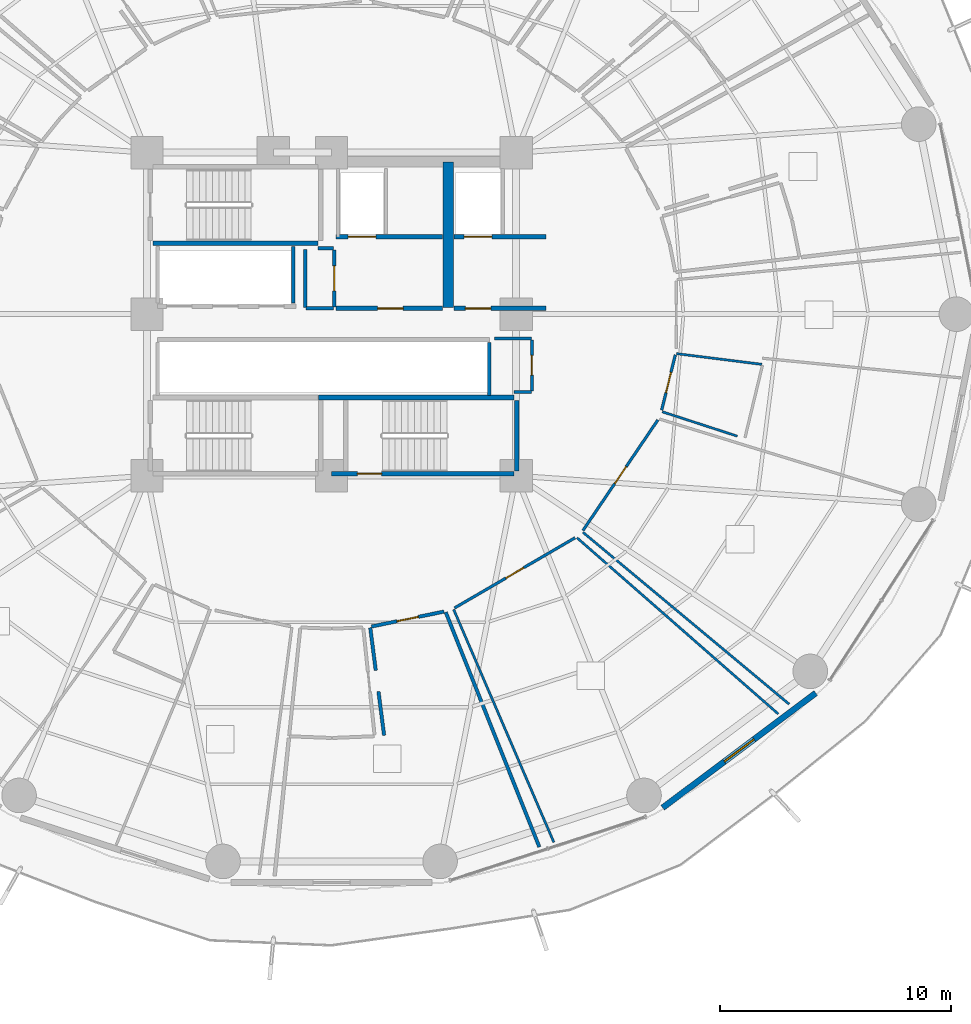
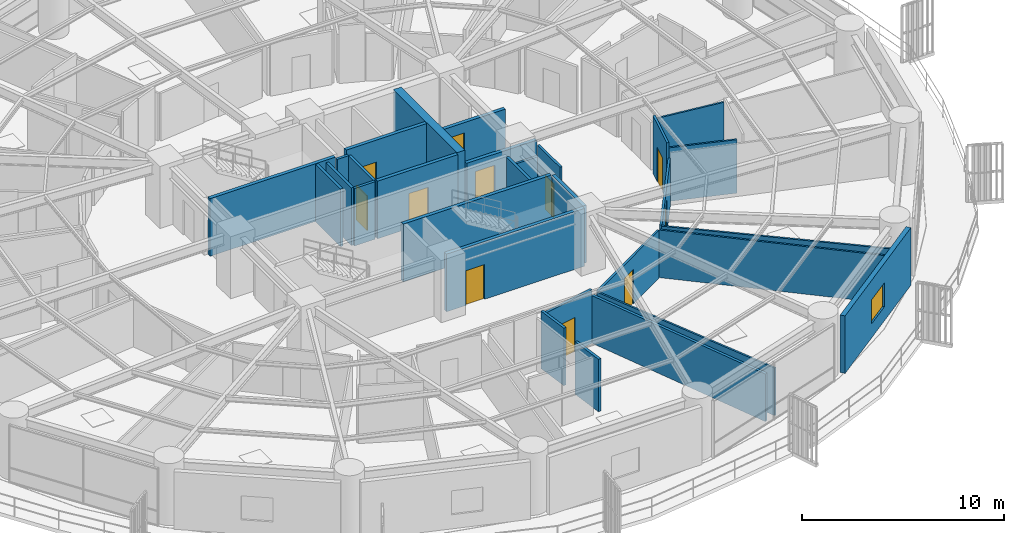
# One storey, part 23 of 32: 31 walls, 11 doors, 1 window, 12 openings.
"""IFC4 building model written with IfcOpenShell, lengths in metres."""

from ifc_helpers import new_model, si_unit, direction, frame, frame_2d, origin, place, context, subcontext, project, spatial, rectangle, extrude, material, layer, layer_set, type_object, element, fill, save


model = new_model("IFC4")

# Units and contexts
model_context = context("Model", 3, precision=1e-05, world=origin(), true_north=direction((0.0, 1.0)))
body_context = subcontext(model_context, "Body", "Model", "MODEL_VIEW")
ifc_project = project(units=[si_unit("LENGTHUNIT", "METRE"), si_unit("AREAUNIT", "SQUARE_METRE"), si_unit("VOLUMEUNIT", "CUBIC_METRE"), si_unit("PLANEANGLEUNIT", "RADIAN"), si_unit("MASSUNIT", "GRAM", prefix="KILO")], contexts=[model_context])

# Site, building, storey
site_placement = place(None, origin())
site = spatial("IfcSite", under=ifc_project, at=site_placement, CompositionType="ELEMENT")
building_placement = place(site_placement, origin())
building = spatial("IfcBuilding", under=site, at=building_placement, Name="Kelanora Arch Commons", CompositionType="ELEMENT")
storey_placement = place(building_placement, frame((0.0, 0.0, 48.75)))
storey = spatial("IfcBuildingStorey", under=building, at=storey_placement, Name="L12", CompositionType="ELEMENT", Elevation=48.75)

# Walls
ifc_material_1 = material(Name="Autoclaved aerated concrete blockwork with fire plaster", Category="masonry")
ifc_layer_1 = layer(ifc_material_1, 0.14990234375)
ifc_layer_set_1 = layer_set([ifc_layer_1], Name="Autoclaved aerated concrete blockwork with fire plaster")
wall_type_1 = type_object("IfcWallType", Name="W-COMP-150", PredefinedType="PARTITIONING", material=ifc_layer_set_1)
wall_1_placement = place(storey_placement, frame((72.340087890625, 58.47998046875, 0.0), z_axis=(0.0, 0.0, 1.0), x_axis=(0.0, 1.0, 0.0)))
element("IfcWall", 1, at=wall_1_placement, inside=storey, type_object=wall_type_1, Name="Low-Rise Lift Bank East Wall L12", PredefinedType="PARTITIONING", context=body_context, shape_type="SweptSolid", body=[
    extrude(rectangle(XDim=2.4599609375, YDim=0.14990234375, at=frame_2d((1.22998046875, 0.0))), origin(), (0.0, 0.0, 1.0), 3.47998046875),
])
wall_2_placement = place(storey_placement, frame((80.840087890625, 54.47998046875, 0.0), z_axis=(0.0, 0.0, 1.0), x_axis=(0.0, 1.0, 0.0)))
element("IfcWall", 2, at=wall_2_placement, inside=storey, type_object=wall_type_1, Name="South Lift Bank East Wall L12", PredefinedType="PARTITIONING", context=body_context, shape_type="SweptSolid", body=[
    extrude(rectangle(XDim=2.2900390625, YDim=0.14990234375, at=frame_2d((1.14501953125, 0.0))), origin(), (0.0, 0.0, 1.0), 3.47998046875),
])

# Wall, opening, door
wall_3_placement = place(storey_placement, frame((74.1201171875, 58.31005859375, 0.0), z_axis=(0.0, 0.0, 1.0), x_axis=(0.0, 1.0, 0.0)))
wall_3 = element("IfcWall", 3, at=wall_3_placement, inside=storey, type_object=wall_type_1, Name="Core Linen Supply Store L12 Entry Partition", PredefinedType="PARTITIONING", context=body_context, shape_type="SweptSolid", body=[
    extrude(rectangle(XDim=2.47998046875, YDim=0.14990234375, at=frame_2d((1.239990234375, 0.0))), origin(), (0.0, 0.0, 1.0), 3.47998046875),
])
opening_1_placement = place(wall_3_placement, frame((0.699951171875, 0.0, 0.0)))
opening_1 = element("IfcOpeningElement", 4, at=opening_1_placement, cuts=wall_3, Name="Opening D-PLT1", PredefinedType="OPENING", context=body_context, shape_type="SweptSolid", body=[
    extrude(rectangle(XDim=1.080078125, YDim=2.10009765625, at=frame_2d((0.5400390625, 1.050048828125))), frame((0.0, 0.0849609375, 0.0), z_axis=(0.0, -1.0, 0.0), x_axis=(1.0, 0.0, 0.0)), (0.0, 0.0, 1.0), 0.169921875),
])
ifc_material_2 = material(Name="Galvanised steel plant and riser fire door", Category="steel")
door_type_1 = type_object("IfcDoorType", Name="D-PLT-110", OperationType="NOTDEFINED", PredefinedType="DOOR", material=ifc_material_2)
door_1_placement = place(opening_1_placement, origin())
door_1 = element("IfcDoor", 5, at=door_1_placement, inside=storey, type_object=door_type_1, Name="Core Linen Supply Store L12 Door", OperationType="SINGLE_SWING_RIGHT", OverallHeight=2.10009765625, OverallWidth=1.080078125, PredefinedType="DOOR", context=body_context, shape_type="SweptSolid", body=[
    extrude(rectangle(XDim=1.080078125, YDim=2.10009765625, at=frame_2d((0.5400390625, 1.050048828125))), frame((0.0, 0.02490234375, 0.0), z_axis=(0.0, -1.0, 0.0), x_axis=(1.0, 0.0, 0.0)), (0.0, 0.0, 1.0), 0.050048828125),
])
fill(opening_1, door_1)

wall_4_placement = place(storey_placement, frame((75.731689453125, 44.467041015625, 0.0), z_axis=(0.0, 0.0, 1.0), x_axis=(0.979521553546, 0.201339330831, 0.0)))
wall_4 = element("IfcWall", 6, at=wall_4_placement, inside=storey, type_object=wall_type_1, Name="Co-Living Studio L12-11 Entry Partition", PredefinedType="PARTITIONING", context=body_context, shape_type="SweptSolid", body=[
    extrude(rectangle(XDim=3.207275390625, YDim=0.14990234375, at=frame_2d((1.603515625, 0.0))), origin(), (0.0, 0.0, 1.0), 3.235107421875),
])
opening_2_placement = place(wall_4_placement, frame((1.12890625, 0.0, 0.0)))
opening_2 = element("IfcOpeningElement", 7, at=opening_2_placement, cuts=wall_4, Name="Opening D-CLU1", PredefinedType="OPENING", context=body_context, shape_type="SweptSolid", body=[
    extrude(rectangle(XDim=0.949951171875, YDim=2.080078125, at=frame_2d((0.47509765625, 1.0400390625))), frame((0.0, 0.0849609375, 0.0), z_axis=(0.0, -1.0, 0.0), x_axis=(1.0, 0.0, 0.0)), (0.0, 0.0, 1.0), 0.169921875),
])
ifc_material_3 = material(Name="Solid-core acoustic timber cluster entry fire door", Category="wood")
door_type_2 = type_object("IfcDoorType", Name="D-CLU-95", OperationType="NOTDEFINED", PredefinedType="DOOR", material=ifc_material_3)
door_2_placement = place(opening_2_placement, origin())
door_2 = element("IfcDoor", 8, at=door_2_placement, inside=storey, type_object=door_type_2, Name="Co-Living Studio L12-11 Door", OperationType="SINGLE_SWING_RIGHT", OverallHeight=2.080078125, OverallWidth=0.949951171875, PredefinedType="DOOR", context=body_context, shape_type="SweptSolid", body=[
    extrude(rectangle(XDim=0.949951171875, YDim=2.080078125, at=frame_2d((0.47509765625, 1.0400390625))), frame((0.0, 0.02490234375, 0.0), z_axis=(0.0, -1.0, 0.0), x_axis=(1.0, 0.0, 0.0)), (0.0, 0.0, 1.0), 0.050048828125),
])
fill(opening_2, door_2)

# Walls
wall_5_placement = place(storey_placement, frame((72.89990234375, 58.25, 0.0), z_axis=(0.0, 0.0, 1.0), x_axis=(1.0, 0.0, 0.0)))
element("IfcWall", 9, at=wall_5_placement, inside=storey, type_object=wall_type_1, Name="Core Linen Supply Store L12 Enclosure Partition 1", PredefinedType="PARTITIONING", context=body_context, shape_type="SweptSolid", body=[
    extrude(rectangle(XDim=1.18017578125, YDim=0.14990234375, at=frame_2d((0.590087890625, 0.0))), origin(), (0.0, 0.0, 1.0), 3.47998046875),
])
wall_6_placement = place(storey_placement, frame((74.080078125, 60.85009765625, 0.0), z_axis=(0.0, 0.0, 1.0), x_axis=(-1.0, 0.0, 0.0)))
element("IfcWall", 10, at=wall_6_placement, inside=storey, type_object=wall_type_1, Name="Core Linen Supply Store L12 Enclosure Partition 3", PredefinedType="PARTITIONING", context=body_context, shape_type="SweptSolid", body=[
    extrude(rectangle(XDim=0.66015625, YDim=0.14990234375, at=frame_2d((0.330078125, 0.0))), origin(), (0.0, 0.0, 1.0), 3.47998046875),
])
wall_7_placement = place(storey_placement, frame((72.860107421875, 60.81005859375, 0.0), z_axis=(0.0, 0.0, 1.0), x_axis=(0.0, -1.0, 0.0)))
element("IfcWall", 11, at=wall_7_placement, inside=storey, type_object=wall_type_1, Name="Core Linen Supply Store L12 Enclosure Partition 4", PredefinedType="PARTITIONING", context=body_context, shape_type="SweptSolid", body=[
    extrude(rectangle(XDim=2.52001953125, YDim=0.14990234375, at=frame_2d((1.260009765625, 0.0))), origin(), (0.0, 0.0, 1.0), 3.47998046875),
])
wall_8_placement = place(storey_placement, frame((78.94677734375, 45.087890625, 0.0), z_axis=(0.0, 0.0, 1.0), x_axis=(0.370325956987, -0.928901870803, 0.0)))
element("IfcWall", 12, at=wall_8_placement, inside=storey, type_object=wall_type_1, Name="Co-Living Studio L12-11 Enclosure Partition 2", PredefinedType="PARTITIONING", context=body_context, shape_type="SweptSolid", body=[
    extrude(rectangle(XDim=10.95361328125, YDim=0.14990234375, at=frame_2d((5.476806640625, 0.0))), origin(), (0.0, 0.0, 1.0), 2.875),
])
wall_9_placement = place(storey_placement, frame((76.27783203125, 39.749755859375, 0.0), z_axis=(0.0, 0.0, 1.0), x_axis=(-0.127498472538, 0.991838766887, 0.0)))
element("IfcWall", 13, at=wall_9_placement, inside=storey, type_object=wall_type_1, Name="Co-Living Studio L12-11 Enclosure Partition 7", PredefinedType="PARTITIONING", context=body_context, shape_type="SweptSolid", body=[
    extrude(rectangle(XDim=1.916748046875, YDim=0.14990234375, at=frame_2d((0.95849609375, 0.0))), origin(), (0.0, 0.0, 1.0), 3.175048828125),
])
wall_10_placement = place(storey_placement, frame((75.916015625, 42.563720703125, 0.0), z_axis=(0.0, 0.0, 1.0), x_axis=(-0.127510715089, 0.99183719306, 0.0)))
element("IfcWall", 14, at=wall_10_placement, inside=storey, type_object=wall_type_1, Name="Co-Living Studio L12-11 Enclosure Partition 7", PredefinedType="PARTITIONING", context=body_context, shape_type="SweptSolid", body=[
    extrude(rectangle(XDim=1.86669921875, YDim=0.14990234375, at=frame_2d((0.933349609375, 0.0))), origin(), (0.0, 0.0, 1.0), 3.47998046875),
])
ifc_material_4 = material(Name="Concrete C60/75", Category="concrete")
ifc_layer_2 = layer(ifc_material_4, 0.449951171875)
ifc_layer_set_2 = layer_set([ifc_layer_2], Name="Concrete C60/75")
wall_type_2 = type_object("IfcWallType", Name="W-CORE-450", PredefinedType="SHEAR", material=ifc_layer_set_2)
wall_11_placement = place(storey_placement, frame((79.050048828125, 58.300048828125, 0.0), z_axis=(0.0, 0.0, 1.0), x_axis=(0.0, 1.0, 0.0)))
element("IfcWall", 15, at=wall_11_placement, inside=storey, type_object=wall_type_2, Name="Core Shear Spine L12-CE-N", PredefinedType="SHEAR", context=body_context, shape_type="SweptSolid", body=[
    extrude(rectangle(XDim=6.300048828125, YDim=0.449951171875, at=frame_2d((3.14990234375, 0.0))), origin(), (0.0, 0.0, 1.0), 3.489990234375),
])

# Wall, opening, window
ifc_material_5 = material(Name="Precast concrete C40/50 with terracotta rainscreen", Category="masonry")
ifc_layer_3 = layer(ifc_material_5, 0.260009765625)
ifc_layer_set_3 = layer_set([ifc_layer_3], Name="Precast concrete C40/50 with terracotta rainscreen")
wall_type_3 = type_object("IfcWallType", Name="W-EXT-TC", PredefinedType="SOLIDWALL", material=ifc_layer_set_3)
wall_12_placement = place(storey_placement, frame((88.348876953125, 36.61083984375, 0.0), z_axis=(0.0, 0.0, 1.0), x_axis=(0.80030733173, 0.599590005569, 0.0)))
wall_12 = element("IfcWall", 16, at=wall_12_placement, inside=storey, type_object=wall_type_3, Name="Terracotta Exterior Wall L12-B15", PredefinedType="SOLIDWALL", context=body_context, shape_type="SweptSolid", body=[
    extrude(rectangle(XDim=8.29052734375, YDim=0.260009765625, at=frame_2d((4.145263671875, 0.0))), origin(), (0.0, 0.0, 1.0), 3.47509765625),
])
opening_3_placement = place(wall_12_placement, frame((3.344970703125, 0.0, 0.85009765625)))
opening_3 = element("IfcOpeningElement", 17, at=opening_3_placement, cuts=wall_12, Name="Opening WN-01", PredefinedType="OPENING", context=body_context, shape_type="SweptSolid", body=[
    extrude(rectangle(XDim=1.60009765625, YDim=1.449951171875, at=frame_2d((0.800048828125, 0.72509765625))), frame((0.0, 0.14013671875, 0.0), z_axis=(0.0, -1.0, 0.0), x_axis=(1.0, 0.0, 0.0)), (0.0, 0.0, 1.0), 0.280029296875),
])
ifc_material_6 = material(Name="Terracotta-anodised aluminium frame with operable low-E glazing", Category="masonry")
window_type = type_object("IfcWindowType", Name="WIN-CL-18", PartitioningType="DOUBLE_PANEL_VERTICAL", PredefinedType="WINDOW", material=ifc_material_6)
window_placement = place(opening_3_placement, origin())
window = element("IfcWindow", 18, at=window_placement, inside=storey, type_object=window_type, Name="Co-Living Operable Window L12-B15", OverallHeight=1.449951171875, OverallWidth=1.60009765625, PartitioningType="SINGLE_PANEL", PredefinedType="WINDOW", context=body_context, shape_type="SweptSolid", body=[
    extrude(rectangle(XDim=1.60009765625, YDim=1.449951171875, at=frame_2d((0.800048828125, 0.72509765625))), frame((0.0, 0.030029296875, 0.0), z_axis=(0.0, -1.0, 0.0), x_axis=(1.0, 0.0, 0.0)), (0.0, 0.0, 1.0), 0.06005859375),
])
fill(opening_3, window)

# Wall, opening, door
ifc_material_7 = material(Name="Concrete C40/50", Category="concrete")
ifc_layer_4 = layer(ifc_material_7, 0.199951171875)
ifc_layer_set_4 = layer_set([ifc_layer_4], Name="Concrete C40/50")
wall_type_4 = type_object("IfcWallType", Name="W-FFL-200", PredefinedType="SOLIDWALL", material=ifc_layer_set_4)
wall_13_placement = place(storey_placement, frame((74.199951171875, 61.35009765625, 0.0), z_axis=(0.0, 0.0, 1.0), x_axis=(1.0, 0.0, 0.0)))
wall_13 = element("IfcWall", 19, at=wall_13_placement, inside=storey, type_object=wall_type_4, Name="Firefighting Lift 1 Shaft Front L12", PredefinedType="SOLIDWALL", context=body_context, shape_type="SweptSolid", body=[
    extrude(rectangle(XDim=4.60009765625, YDim=0.199951171875, at=frame_2d((2.300048828125, 0.0))), origin(), (0.0, 0.0, 1.0), 3.47998046875),
])
opening_4_placement = place(wall_13_placement, frame((0.52001953125, 0.0, 0.0)))
opening_4 = element("IfcOpeningElement", 20, at=opening_4_placement, cuts=wall_13, Name="Opening LD-FF", PredefinedType="OPENING", context=body_context, shape_type="SweptSolid", body=[
    extrude(rectangle(XDim=1.199951171875, YDim=2.14990234375, at=frame_2d((0.60009765625, 1.074951171875))), frame((0.0, 0.10986328125, 0.0), z_axis=(0.0, -1.0, 0.0), x_axis=(1.0, 0.0, 0.0)), (0.0, 0.0, 1.0), 0.219970703125),
])
ifc_material_8 = material(Name="Fire-rated firefighters lift sliding landing door")
door_type_3 = type_object("IfcDoorType", Name="D-LIFT-FF", OperationType="NOTDEFINED", PredefinedType="DOOR", material=ifc_material_8)
door_3_placement = place(opening_4_placement, origin())
door_3 = element("IfcDoor", 21, at=door_3_placement, inside=storey, type_object=door_type_3, Name="Firefighting Lift LF-FF1 Landing Door L12", OperationType="DOUBLE_DOOR_SLIDING", OverallHeight=2.14990234375, OverallWidth=1.199951171875, PredefinedType="DOOR", context=body_context, shape_type="SweptSolid", body=[
    extrude(rectangle(XDim=1.199951171875, YDim=2.14990234375, at=frame_2d((0.60009765625, 1.074951171875))), frame((0.0, 0.02490234375, 0.0), z_axis=(0.0, -1.0, 0.0), x_axis=(1.0, 0.0, 0.0)), (0.0, 0.0, 1.0), 0.050048828125),
])
fill(opening_4, door_3)

wall_14_placement = place(storey_placement, frame((79.300048828125, 61.35009765625, 0.0), z_axis=(0.0, 0.0, 1.0), x_axis=(1.0, 0.0, 0.0)))
wall_14 = element("IfcWall", 22, at=wall_14_placement, inside=storey, type_object=wall_type_4, Name="Firefighting Lift 2 Shaft Front L12", PredefinedType="SOLIDWALL", context=body_context, shape_type="SweptSolid", body=[
    extrude(rectangle(XDim=4.0, YDim=0.199951171875, at=frame_2d((2.0, 0.0))), origin(), (0.0, 0.0, 1.0), 2.77490234375),
])
opening_5_placement = place(wall_14_placement, frame((0.449951171875, 0.0, 0.0)))
opening_5 = element("IfcOpeningElement", 23, at=opening_5_placement, cuts=wall_14, Name="Opening LD-FF", PredefinedType="OPENING", context=body_context, shape_type="SweptSolid", body=[
    extrude(rectangle(XDim=1.199951171875, YDim=2.14990234375, at=frame_2d((0.60009765625, 1.074951171875))), frame((0.0, 0.10986328125, 0.0), z_axis=(0.0, -1.0, 0.0), x_axis=(1.0, 0.0, 0.0)), (0.0, 0.0, 1.0), 0.219970703125),
])
door_4_placement = place(opening_5_placement, origin())
door_4 = element("IfcDoor", 24, at=door_4_placement, inside=storey, type_object=door_type_3, Name="Firefighting Lift LF-FF2 Landing Door L12", OperationType="DOUBLE_DOOR_SLIDING", OverallHeight=2.14990234375, OverallWidth=1.199951171875, PredefinedType="DOOR", context=body_context, shape_type="SweptSolid", body=[
    extrude(rectangle(XDim=1.199951171875, YDim=2.14990234375, at=frame_2d((0.60009765625, 1.074951171875))), frame((0.0, 0.02490234375, 0.0), z_axis=(0.0, -1.0, 0.0), x_axis=(1.0, 0.0, 0.0)), (0.0, 0.0, 1.0), 0.050048828125),
])
fill(opening_5, door_4)

wall_15_placement = place(storey_placement, frame((74.199951171875, 58.25, 0.0), z_axis=(0.0, 0.0, 1.0), x_axis=(1.0, 0.0, 0.0)))
wall_15 = element("IfcWall", 25, at=wall_15_placement, inside=storey, type_object=wall_type_4, Name="Firefighting Lobby 1 Enclosure Wall L12", PredefinedType="SOLIDWALL", context=body_context, shape_type="SweptSolid", body=[
    extrude(rectangle(XDim=4.60009765625, YDim=0.199951171875, at=frame_2d((2.300048828125, 0.0))), origin(), (0.0, 0.0, 1.0), 3.47998046875),
])
opening_6_placement = place(wall_15_placement, frame((1.800048828125, 0.0, 0.0)))
opening_6 = element("IfcOpeningElement", 26, at=opening_6_placement, cuts=wall_15, Name="Opening D-FFL1", PredefinedType="OPENING", context=body_context, shape_type="SweptSolid", body=[
    extrude(rectangle(XDim=1.10009765625, YDim=2.10009765625, at=frame_2d((0.550048828125, 1.050048828125))), frame((0.0, 0.10986328125, 0.0), z_axis=(0.0, -1.0, 0.0), x_axis=(1.0, 0.0, 0.0)), (0.0, 0.0, 1.0), 0.219970703125),
])
ifc_material_9 = material(Name="Smoke-sealed firefighting lobby fire door")
door_type_4 = type_object("IfcDoorType", Name="D-FFL-110", OperationType="NOTDEFINED", PredefinedType="DOOR", material=ifc_material_9)
door_5_placement = place(opening_6_placement, frame((1.10009765625, 0.0, 0.0), z_axis=(0.0, 0.0, 1.0), x_axis=(-1.0, 0.0, 0.0)))
door_5 = element("IfcDoor", 27, at=door_5_placement, inside=storey, type_object=door_type_4, Name="Firefighting Lobby 1 Door L12", OperationType="SINGLE_SWING_LEFT", OverallHeight=2.10009765625, OverallWidth=1.10009765625, PredefinedType="DOOR", context=body_context, shape_type="SweptSolid", body=[
    extrude(rectangle(XDim=1.10009765625, YDim=2.10009765625, at=frame_2d((0.550048828125, 1.050048828125))), frame((0.0, 0.02490234375, 0.0), z_axis=(0.0, -1.0, 0.0), x_axis=(1.0, 0.0, 0.0)), (0.0, 0.0, 1.0), 0.050048828125),
])
fill(opening_6, door_5)

wall_16_placement = place(storey_placement, frame((79.300048828125, 58.25, 0.0), z_axis=(0.0, 0.0, 1.0), x_axis=(1.0, 0.0, 0.0)))
wall_16 = element("IfcWall", 28, at=wall_16_placement, inside=storey, type_object=wall_type_4, Name="Firefighting Lobby 2 Enclosure Wall L12", PredefinedType="SOLIDWALL", context=body_context, shape_type="SweptSolid", body=[
    extrude(rectangle(XDim=4.0, YDim=0.199951171875, at=frame_2d((2.0, 0.0))), origin(), (0.0, 0.0, 1.0), 2.77490234375),
])
opening_7_placement = place(wall_16_placement, frame((0.5, 0.0, 0.0)))
opening_7 = element("IfcOpeningElement", 29, at=opening_7_placement, cuts=wall_16, Name="Opening D-FFL1", PredefinedType="OPENING", context=body_context, shape_type="SweptSolid", body=[
    extrude(rectangle(XDim=1.10009765625, YDim=2.10009765625, at=frame_2d((0.550048828125, 1.050048828125))), frame((0.0, 0.10986328125, 0.0), z_axis=(0.0, -1.0, 0.0), x_axis=(1.0, 0.0, 0.0)), (0.0, 0.0, 1.0), 0.219970703125),
])
door_6_placement = place(opening_7_placement, frame((1.10009765625, 0.0, 0.0), z_axis=(0.0, 0.0, 1.0), x_axis=(-1.0, 0.0, 0.0)))
door_6 = element("IfcDoor", 30, at=door_6_placement, inside=storey, type_object=door_type_4, Name="Firefighting Lobby 2 Door L12", OperationType="SINGLE_SWING_RIGHT", OverallHeight=2.10009765625, OverallWidth=1.10009765625, PredefinedType="DOOR", context=body_context, shape_type="SweptSolid", body=[
    extrude(rectangle(XDim=1.10009765625, YDim=2.10009765625, at=frame_2d((0.550048828125, 1.050048828125))), frame((0.0, 0.02490234375, 0.0), z_axis=(0.0, -1.0, 0.0), x_axis=(1.0, 0.0, 0.0)), (0.0, 0.0, 1.0), 0.050048828125),
])
fill(opening_7, door_6)

# Walls
ifc_material_10 = material(Name="Lightweight fire-rated acoustic stud partition")
ifc_layer_5 = layer(ifc_material_10, 0.10009765625)
ifc_layer_set_5 = layer_set([ifc_layer_5], Name="Lightweight fire-rated acoustic stud partition")
wall_type_5 = type_object("IfcWallType", Name="W-PART-100", PredefinedType="PARTITIONING", material=ifc_layer_set_5)
wall_17_placement = place(storey_placement, frame((84.634033203125, 48.314697265625, 0.0), z_axis=(0.0, 0.0, 1.0), x_axis=(0.752403187404, -0.658702849231, 0.0)))
element("IfcWall", 31, at=wall_17_placement, inside=storey, type_object=wall_type_5, Name="Quiet Seminar Study Room L12-12 Enclosure Partition 2", PredefinedType="PARTITIONING", context=body_context, shape_type="SweptSolid", body=[
    extrude(rectangle(XDim=11.5947265625, YDim=0.10009765625, at=frame_2d((5.79736328125, 0.0))), origin(), (0.0, 0.0, 1.0), 2.875),
])
wall_18_placement = place(storey_placement, frame((83.63330078125, 35.11572265625, 0.0), z_axis=(0.0, 0.0, 1.0), x_axis=(-0.395239231563, 0.918578221946, 0.0)))
element("IfcWall", 32, at=wall_18_placement, inside=storey, type_object=wall_type_5, Name="Quiet Seminar Study Room L12-12 Enclosure Partition 4", PredefinedType="PARTITIONING", context=body_context, shape_type="SweptSolid", body=[
    extrude(rectangle(XDim=10.979736328125, YDim=0.10009765625, at=frame_2d((5.48974609375, 0.0))), origin(), (0.0, 0.0, 1.0), 2.875),
])
wall_19_placement = place(storey_placement, frame((93.827392578125, 41.103515625, 0.0), z_axis=(0.0, 0.0, 1.0), x_axis=(-0.768116338219, 0.640310308336, 0.0)))
element("IfcWall", 33, at=wall_19_placement, inside=storey, type_object=wall_type_5, Name="Quiet Seminar Study Room L12-13 Enclosure Partition 4", PredefinedType="PARTITIONING", context=body_context, shape_type="SweptSolid", body=[
    extrude(rectangle(XDim=11.63330078125, YDim=0.10009765625, at=frame_2d((5.816650390625, 0.0))), origin(), (0.0, 0.0, 1.0), 2.875),
])
wall_20_placement = place(storey_placement, frame((88.95166015625, 56.291015625, 0.0), z_axis=(0.0, 0.0, 1.0), x_axis=(0.992185717147, -0.124769798789, 0.0)))
element("IfcWall", 34, at=wall_20_placement, inside=storey, type_object=wall_type_5, Name="Student Laundry Room L12-14 Enclosure Partition 2", PredefinedType="PARTITIONING", context=body_context, shape_type="SweptSolid", body=[
    extrude(rectangle(XDim=3.7197265625, YDim=0.10009765625, at=frame_2d((1.85986328125, 0.0))), origin(), (0.0, 0.0, 1.0), 3.235107421875),
])
wall_21_placement = place(storey_placement, frame((91.585205078125, 52.714599609375, 0.0), z_axis=(0.0, 0.0, 1.0), x_axis=(-0.950990540972, 0.309219971834, 0.0)))
element("IfcWall", 35, at=wall_21_placement, inside=storey, type_object=wall_type_5, Name="Student Laundry Room L12-14 Enclosure Partition 4", PredefinedType="PARTITIONING", context=body_context, shape_type="SweptSolid", body=[
    extrude(rectangle(XDim=3.421875, YDim=0.10009765625, at=frame_2d((1.7109375, 0.0))), origin(), (0.0, 0.0, 1.0), 3.235107421875),
])

# Wall, opening, door
ifc_material_11 = material(Name="Acoustic twin-stud fire-rated gypsum partition")
ifc_layer_6 = layer(ifc_material_11, 0.1201171875)
ifc_layer_set_6 = layer_set([ifc_layer_6], Name="Acoustic twin-stud fire-rated gypsum partition")
wall_type_6 = type_object("IfcWallType", Name="W-PART-120", PredefinedType="PARTITIONING", material=ifc_layer_set_6)
wall_22_placement = place(storey_placement, frame((79.329833984375, 45.268310546875, 0.0), z_axis=(0.0, 0.0, 1.0), x_axis=(0.864061520755, 0.503386221852, 0.0)))
wall_22 = element("IfcWall", 36, at=wall_22_placement, inside=storey, type_object=wall_type_6, Name="Quiet Seminar Study Room L12-12 Entry Partition", PredefinedType="PARTITIONING", context=body_context, shape_type="SweptSolid", body=[
    extrude(rectangle(XDim=6.0439453125, YDim=0.1201171875, at=frame_2d((3.02197265625, 0.0))), origin(), (0.0, 0.0, 1.0), 2.875),
])
opening_8_placement = place(wall_22_placement, frame((2.572021484375, 0.0, 0.0)))
opening_8 = element("IfcOpeningElement", 37, at=opening_8_placement, cuts=wall_22, Name="Opening D-RM1", PredefinedType="OPENING", context=body_context, shape_type="SweptSolid", body=[
    extrude(rectangle(XDim=0.89990234375, YDim=2.080078125, at=frame_2d((0.449951171875, 1.0400390625))), frame((0.0, 0.070068359375, 0.0), z_axis=(0.0, -1.0, 0.0), x_axis=(1.0, 0.0, 0.0)), (0.0, 0.0, 1.0), 0.14013671875),
])
ifc_material_12 = material(Name="Acoustic fire-rated timber study and lounge door", Category="wood")
door_type_5 = type_object("IfcDoorType", Name="D-ROOM-90", OperationType="NOTDEFINED", PredefinedType="DOOR", material=ifc_material_12)
door_7_placement = place(opening_8_placement, origin())
door_7 = element("IfcDoor", 38, at=door_7_placement, inside=storey, type_object=door_type_5, Name="Quiet Seminar Study Room L12-12 Door", OperationType="SINGLE_SWING_LEFT", OverallHeight=2.080078125, OverallWidth=0.89990234375, PredefinedType="DOOR", context=body_context, shape_type="SweptSolid", body=[
    extrude(rectangle(XDim=0.89990234375, YDim=2.080078125, at=frame_2d((0.449951171875, 1.0400390625))), frame((0.0, 0.02490234375, 0.0), z_axis=(0.0, -1.0, 0.0), x_axis=(1.0, 0.0, 0.0)), (0.0, 0.0, 1.0), 0.050048828125),
])
fill(opening_8, door_7)

wall_23_placement = place(storey_placement, frame((84.894775390625, 48.627685546875, 0.0), z_axis=(0.0, 0.0, 1.0), x_axis=(0.560933949984, 0.827860558159, 0.0)))
wall_23 = element("IfcWall", 39, at=wall_23_placement, inside=storey, type_object=wall_type_6, Name="Quiet Seminar Study Room L12-13 Entry Partition", PredefinedType="PARTITIONING", context=body_context, shape_type="SweptSolid", body=[
    extrude(rectangle(XDim=5.787841796875, YDim=0.1201171875, at=frame_2d((2.89404296875, 0.0))), origin(), (0.0, 0.0, 1.0), 2.875),
])
opening_9_placement = place(wall_23_placement, frame((2.444091796875, 0.0, 0.0)))
opening_9 = element("IfcOpeningElement", 40, at=opening_9_placement, cuts=wall_23, Name="Opening D-RM1", PredefinedType="OPENING", context=body_context, shape_type="SweptSolid", body=[
    extrude(rectangle(XDim=0.89990234375, YDim=2.080078125, at=frame_2d((0.449951171875, 1.0400390625))), frame((0.0, 0.070068359375, 0.0), z_axis=(0.0, -1.0, 0.0), x_axis=(1.0, 0.0, 0.0)), (0.0, 0.0, 1.0), 0.14013671875),
])
door_8_placement = place(opening_9_placement, origin())
door_8 = element("IfcDoor", 41, at=door_8_placement, inside=storey, type_object=door_type_5, Name="Quiet Seminar Study Room L12-13 Door", OperationType="SINGLE_SWING_RIGHT", OverallHeight=2.080078125, OverallWidth=0.89990234375, PredefinedType="DOOR", context=body_context, shape_type="SweptSolid", body=[
    extrude(rectangle(XDim=0.89990234375, YDim=2.080078125, at=frame_2d((0.449951171875, 1.0400390625))), frame((0.0, 0.02490234375, 0.0), z_axis=(0.0, -1.0, 0.0), x_axis=(1.0, 0.0, 0.0)), (0.0, 0.0, 1.0), 0.050048828125),
])
fill(opening_9, door_8)

wall_24_placement = place(storey_placement, frame((88.307373046875, 53.84326171875, 0.0), z_axis=(0.0, 0.0, 1.0), x_axis=(0.239366536705, 0.970929277088, 0.0)))
wall_24 = element("IfcWall", 42, at=wall_24_placement, inside=storey, type_object=wall_type_6, Name="Student Laundry Room L12-14 Entry Partition", PredefinedType="PARTITIONING", context=body_context, shape_type="SweptSolid", body=[
    extrude(rectangle(XDim=2.46630859375, YDim=0.1201171875, at=frame_2d((1.233154296875, 0.0))), origin(), (0.0, 0.0, 1.0), 3.47998046875),
])
opening_10_placement = place(wall_24_placement, frame((0.782958984375, 0.0, 0.0)))
opening_10 = element("IfcOpeningElement", 43, at=opening_10_placement, cuts=wall_24, Name="Opening D-RM1", PredefinedType="OPENING", context=body_context, shape_type="SweptSolid", body=[
    extrude(rectangle(XDim=0.89990234375, YDim=2.080078125, at=frame_2d((0.449951171875, 1.0400390625))), frame((0.0, 0.070068359375, 0.0), z_axis=(0.0, -1.0, 0.0), x_axis=(1.0, 0.0, 0.0)), (0.0, 0.0, 1.0), 0.14013671875),
])
door_9_placement = place(opening_10_placement, origin())
door_9 = element("IfcDoor", 44, at=door_9_placement, inside=storey, type_object=door_type_5, Name="Student Laundry Room L12-14 Door", OperationType="SINGLE_SWING_LEFT", OverallHeight=2.080078125, OverallWidth=0.89990234375, PredefinedType="DOOR", context=body_context, shape_type="SweptSolid", body=[
    extrude(rectangle(XDim=0.89990234375, YDim=2.080078125, at=frame_2d((0.449951171875, 1.0400390625))), frame((0.0, 0.02490234375, 0.0), z_axis=(0.0, -1.0, 0.0), x_axis=(1.0, 0.0, 0.0)), (0.0, 0.0, 1.0), 0.050048828125),
])
fill(opening_10, door_9)

# Wall
ifc_layer_7 = layer(ifc_material_7, 0.199951171875)
ifc_layer_set_7 = layer_set([ifc_layer_7], Name="Concrete C40/50")
wall_type_7 = type_object("IfcWallType", Name="W-STAIR-200", PredefinedType="SHEAR", material=ifc_layer_set_7)
wall_25_placement = place(storey_placement, frame((66.260009765625, 61.080078125, 0.0), z_axis=(0.0, 0.0, 1.0), x_axis=(1.0, 0.0, 0.0)))
element("IfcWall", 45, at=wall_25_placement, inside=storey, type_object=wall_type_7, Name="Stair ST-T1 Shaft Wall S L12", PredefinedType="SHEAR", context=body_context, shape_type="SweptSolid", body=[
    extrude(rectangle(XDim=7.159912109375, YDim=0.199951171875, at=frame_2d((3.580078125, 0.0))), origin(), (0.0, 0.0, 1.0), 3.489990234375),
])

# Wall, opening, door
wall_26_placement = place(storey_placement, frame((74.0, 51.080078125, 0.0), z_axis=(0.0, 0.0, 1.0), x_axis=(1.0, 0.0, 0.0)))
wall_26 = element("IfcWall", 46, at=wall_26_placement, inside=storey, type_object=wall_type_7, Name="Stair ST-T2 Shaft Wall S L12", PredefinedType="SHEAR", context=body_context, shape_type="SweptSolid", body=[
    extrude(rectangle(XDim=7.89990234375, YDim=0.199951171875, at=frame_2d((3.949951171875, 0.0))), origin(), (0.0, 0.0, 1.0), 3.489990234375),
])
opening_11_placement = place(wall_26_placement, frame((1.1201171875, 0.0, 0.0)))
opening_11 = element("IfcOpeningElement", 47, at=opening_11_placement, cuts=wall_26, Name="Opening D-ST1", PredefinedType="OPENING", context=body_context, shape_type="SweptSolid", body=[
    extrude(rectangle(XDim=1.050048828125, YDim=2.10009765625, at=frame_2d((0.52490234375, 1.050048828125))), frame((0.0, 0.10986328125, 0.0), z_axis=(0.0, -1.0, 0.0), x_axis=(1.0, 0.0, 0.0)), (0.0, 0.0, 1.0), 0.219970703125),
])
ifc_material_13 = material(Name="Steel fire-rated stairwell escape door", Category="steel")
door_type_6 = type_object("IfcDoorType", Name="D-STAIR-110", OperationType="NOTDEFINED", PredefinedType="DOOR", material=ifc_material_13)
door_10_placement = place(opening_11_placement, origin())
door_10 = element("IfcDoor", 48, at=door_10_placement, inside=storey, type_object=door_type_6, Name="Stair ST-T2 Escape Door L12", OperationType="SINGLE_SWING_LEFT", OverallHeight=2.10009765625, OverallWidth=1.050048828125, PredefinedType="DOOR", context=body_context, shape_type="SweptSolid", body=[
    extrude(rectangle(XDim=1.050048828125, YDim=2.10009765625, at=frame_2d((0.52490234375, 1.050048828125))), frame((0.0, 0.02490234375, 0.0), z_axis=(0.0, -1.0, 0.0), x_axis=(1.0, 0.0, 0.0)), (0.0, 0.0, 1.0), 0.050048828125),
])
fill(opening_11, door_10)

# Walls
wall_27_placement = place(storey_placement, frame((82.02001953125, 51.199951171875, 0.0), z_axis=(0.0, 0.0, 1.0), x_axis=(0.0, 1.0, 0.0)))
element("IfcWall", 49, at=wall_27_placement, inside=storey, type_object=wall_type_7, Name="Stair ST-T2 Shaft Wall E L12", PredefinedType="SHEAR", context=body_context, shape_type="SweptSolid", body=[
    extrude(rectangle(XDim=3.070068359375, YDim=0.199951171875, at=frame_2d((1.53515625, 0.0))), origin(), (0.0, 0.0, 1.0), 3.489990234375),
])
wall_28_placement = place(storey_placement, frame((81.89990234375, 54.389892578125, 0.0), z_axis=(0.0, 0.0, 1.0), x_axis=(-1.0, 0.0, 0.0)))
element("IfcWall", 50, at=wall_28_placement, inside=storey, type_object=wall_type_7, Name="Stair ST-T2 Shaft Wall N L12", PredefinedType="SHEAR", context=body_context, shape_type="SweptSolid", body=[
    extrude(rectangle(XDim=8.4599609375, YDim=0.199951171875, at=frame_2d((4.22998046875, 0.0))), origin(), (0.0, 0.0, 1.0), 3.489990234375),
])

# Wall, opening, door
ifc_material_14 = material(Name="Moisture-resistant fire-rated cement-board plumbing wall")
ifc_layer_8 = layer(ifc_material_14, 0.1298828125)
ifc_layer_set_8 = layer_set([ifc_layer_8], Name="Moisture-resistant fire-rated cement-board plumbing wall")
wall_type_8 = type_object("IfcWallType", Name="W-WET-120", PredefinedType="PLUMBINGWALL", material=ifc_layer_set_8)
wall_29_placement = place(storey_placement, frame((82.679931640625, 54.679931640625, 0.0), z_axis=(0.0, 0.0, 1.0), x_axis=(0.0, 1.0, 0.0)))
wall_29 = element("IfcWall", 51, at=wall_29_placement, inside=storey, type_object=wall_type_8, Name="Core Accessible Unisex WC L12 Entry Partition", PredefinedType="PLUMBINGWALL", context=body_context, shape_type="SweptSolid", body=[
    extrude(rectangle(XDim=2.2099609375, YDim=0.1298828125, at=frame_2d((1.10498046875, 0.0))), origin(), (0.0, 0.0, 1.0), 3.47998046875),
])
opening_12_placement = place(wall_29_placement, frame((0.675048828125, 0.0, 0.0)))
opening_12 = element("IfcOpeningElement", 52, at=opening_12_placement, cuts=wall_29, Name="Opening D-BT1", PredefinedType="OPENING", context=body_context, shape_type="SweptSolid", body=[
    extrude(rectangle(XDim=0.860107421875, YDim=2.050048828125, at=frame_2d((0.43017578125, 1.02490234375))), frame((0.0, 0.074951171875, 0.0), z_axis=(0.0, -1.0, 0.0), x_axis=(1.0, 0.0, 0.0)), (0.0, 0.0, 1.0), 0.14990234375),
])
ifc_material_15 = material(Name="Moisture-sealed fire-rated accessible bathroom door")
door_type_7 = type_object("IfcDoorType", Name="D-BATH-85", OperationType="NOTDEFINED", PredefinedType="DOOR", material=ifc_material_15)
door_11_placement = place(opening_12_placement, origin())
door_11 = element("IfcDoor", 53, at=door_11_placement, inside=storey, type_object=door_type_7, Name="Core Accessible Unisex WC L12 Door", OperationType="SINGLE_SWING_LEFT", OverallHeight=2.050048828125, OverallWidth=0.860107421875, PredefinedType="DOOR", context=body_context, shape_type="SweptSolid", body=[
    extrude(rectangle(XDim=0.860107421875, YDim=2.050048828125, at=frame_2d((0.43017578125, 1.02490234375))), frame((0.0, 0.02490234375, 0.0), z_axis=(0.0, -1.0, 0.0), x_axis=(1.0, 0.0, 0.0)), (0.0, 0.0, 1.0), 0.050048828125),
])
fill(opening_12, door_11)

# Walls
wall_30_placement = place(storey_placement, frame((81.89990234375, 54.6201171875, 0.0), z_axis=(0.0, 0.0, 1.0), x_axis=(1.0, 0.0, 0.0)))
element("IfcWall", 54, at=wall_30_placement, inside=storey, type_object=wall_type_8, Name="Core Accessible Unisex WC L12 Enclosure Partition 1", PredefinedType="PLUMBINGWALL", context=body_context, shape_type="SweptSolid", body=[
    extrude(rectangle(XDim=0.760009765625, YDim=0.1298828125, at=frame_2d((0.3798828125, 0.0))), origin(), (0.0, 0.0, 1.0), 2.77490234375),
])
wall_31_placement = place(storey_placement, frame((82.659912109375, 56.949951171875, 0.0), z_axis=(0.0, 0.0, 1.0), x_axis=(-1.0, 0.0, 0.0)))
element("IfcWall", 55, at=wall_31_placement, inside=storey, type_object=wall_type_8, Name="Core Accessible Unisex WC L12 Enclosure Partition 3", PredefinedType="PLUMBINGWALL", context=body_context, shape_type="SweptSolid", body=[
    extrude(rectangle(XDim=1.58984375, YDim=0.1298828125, at=frame_2d((0.794921875, 0.0))), origin(), (0.0, 0.0, 1.0), 2.77490234375),
])

save(model, "model.ifc")
